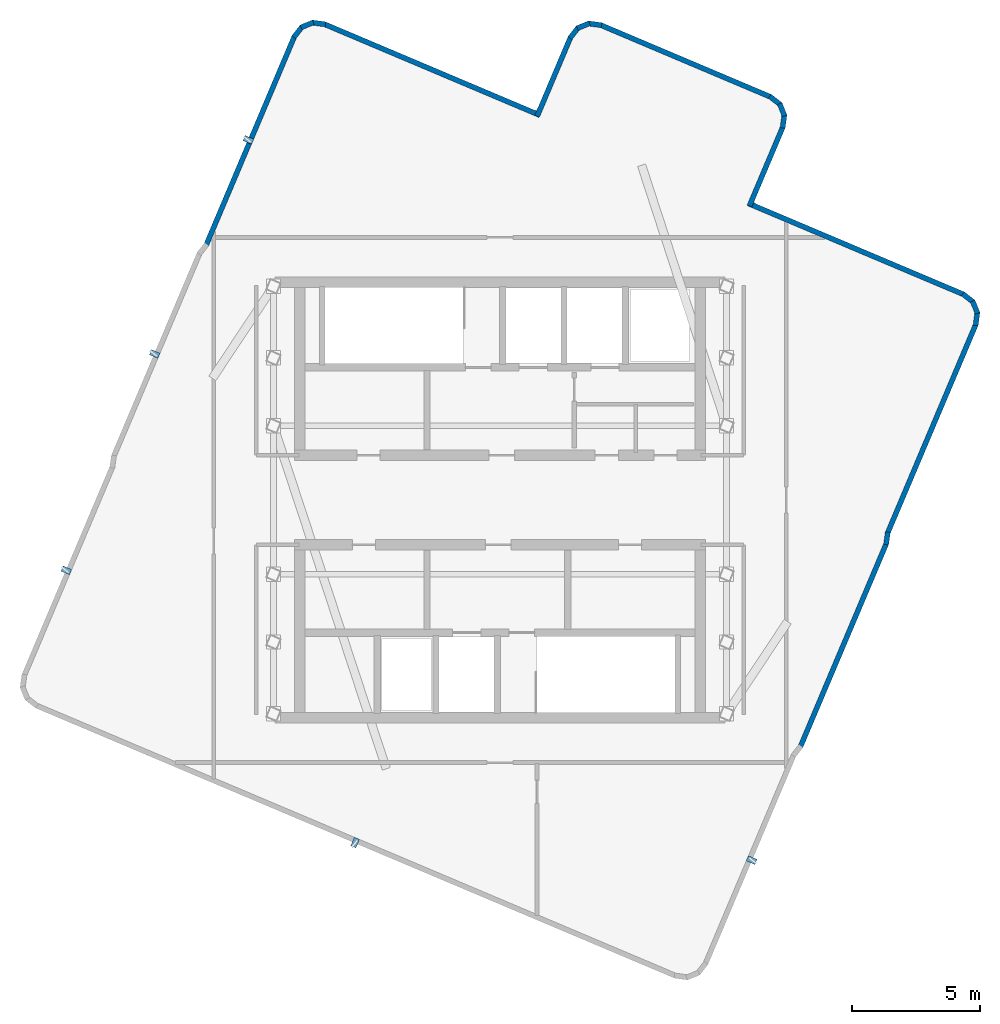
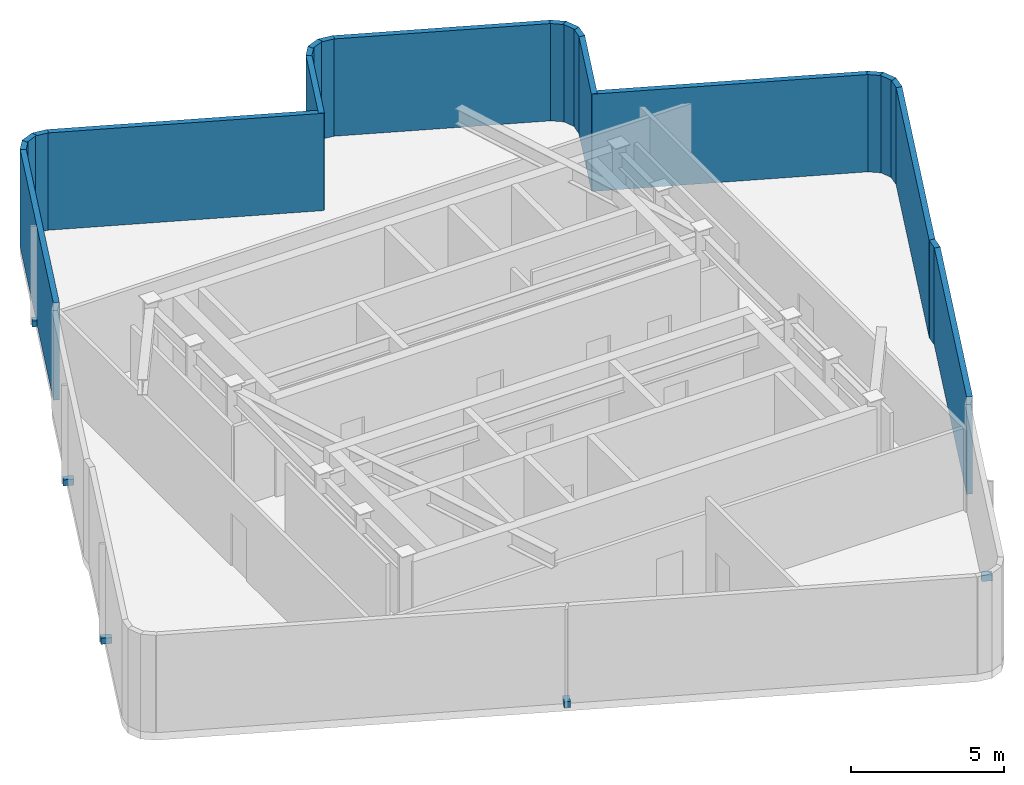
# One storey, part 3 of 4: 21 walls, 5 discrete accessories.
"""IFC4 building model written with IfcOpenShell, lengths in metres."""

from ifc_helpers import new_model, si_unit, direction, frame, frame_2d, origin, origin_2d, place, context, subcontext, project, spatial, rectangle, extrude, material, layer, layer_set, type_object, element, save


model = new_model("IFC4")

# Units and contexts
model_context = context("Model", 3, precision=1e-05, world=origin(), true_north=direction((0.0, 1.0)))
body_context = subcontext(model_context, "Body", "Model", "MODEL_VIEW")
ifc_project = project(units=[si_unit("LENGTHUNIT", "METRE"), si_unit("AREAUNIT", "SQUARE_METRE"), si_unit("VOLUMEUNIT", "CUBIC_METRE"), si_unit("PLANEANGLEUNIT", "RADIAN"), si_unit("MASSUNIT", "GRAM", prefix="KILO")], contexts=[model_context])

# Site, building, storey
site_placement = place(None, origin())
site = spatial("IfcSite", under=ifc_project, at=site_placement, CompositionType="ELEMENT")
building_placement = place(site_placement, origin())
building = spatial("IfcBuilding", under=site, at=building_placement, Name="Solmarez Civic Tower", CompositionType="ELEMENT")
storey_placement = place(building_placement, frame((0.0, 0.0, 301.679931640625)))
storey = spatial("IfcBuildingStorey", under=building, at=storey_placement, Name="L81 Crown", CompositionType="ELEMENT", Elevation=301.679931640625)

# Walls
ifc_material_1 = material(Name="Precast concrete C40/50", Category="concrete")
ifc_layer = layer(ifc_material_1, 0.199951171875)
ifc_layer_set = layer_set([ifc_layer], Name="Precast concrete C40/50")
wall_type = type_object("IfcWallType", Name="WALL-EXT-200", PredefinedType="SOLIDWALL", material=ifc_layer_set)
wall_1_placement = place(storey_placement, frame((-11.48095703125, 9.951904296875, 0.0), z_axis=(0.0, 0.0, 1.0), x_axis=(0.389505259475, 0.92102424118, 0.0)))
element("IfcWall", 1, at=wall_1_placement, inside=storey, type_object=wall_type, Name="L81 Crown Exterior Precast Wall 17", PredefinedType="SOLIDWALL", context=body_context, shape_type="SweptSolid", body=[
    extrude(rectangle(XDim=8.8671875, YDim=0.199951171875, at=frame_2d((4.43359375, 0.0))), origin(), (0.0, 0.0, 1.0), 3.89013671875),
])
wall_2_placement = place(storey_placement, frame((-8.052001953125, 18.075927734375, 0.0), z_axis=(0.0, 0.0, 1.0), x_axis=(0.613266470563, 0.789876089069, 0.0)))
element("IfcWall", 2, at=wall_2_placement, inside=storey, type_object=wall_type, Name="L81 Crown Exterior Precast Wall 18", PredefinedType="SOLIDWALL", context=body_context, shape_type="SweptSolid", body=[
    extrude(rectangle(XDim=0.526611328125, YDim=0.199951171875, at=frame_2d((0.26318359375, 0.0))), origin(), (0.0, 0.0, 1.0), 3.89013671875),
])
wall_3_placement = place(storey_placement, frame((-7.76708984375, 18.462890625, 0.0), z_axis=(0.0, 0.0, 1.0), x_axis=(0.926663227271, 0.375892621934, 0.0)))
element("IfcWall", 3, at=wall_3_placement, inside=storey, type_object=wall_type, Name="L81 Crown Exterior Precast Wall 19", PredefinedType="SOLIDWALL", context=body_context, shape_type="SweptSolid", body=[
    extrude(rectangle(XDim=0.513671875, YDim=0.199951171875, at=frame_2d((0.2568359375, 0.0))), origin(), (0.0, 0.0, 1.0), 3.89013671875),
])
wall_4_placement = place(storey_placement, frame((-7.339111328125, 18.64990234375, 0.0), z_axis=(0.0, 0.0, 1.0), x_axis=(0.99065777357, -0.136371462064, 0.0)))
element("IfcWall", 4, at=wall_4_placement, inside=storey, type_object=wall_type, Name="L81 Crown Exterior Precast Wall 20", PredefinedType="SOLIDWALL", context=body_context, shape_type="SweptSolid", body=[
    extrude(rectangle(XDim=0.528076171875, YDim=0.199951171875, at=frame_2d((0.26416015625, 0.0))), origin(), (0.0, 0.0, 1.0), 3.89013671875),
])
wall_5_placement = place(storey_placement, frame((-6.864013671875, 18.591064453125, 0.0), z_axis=(0.0, 0.0, 1.0), x_axis=(0.921076334879, -0.389382055732, 0.0)))
element("IfcWall", 5, at=wall_5_placement, inside=storey, type_object=wall_type, Name="L81 Crown Exterior Precast Wall 21", PredefinedType="SOLIDWALL", context=body_context, shape_type="SweptSolid", body=[
    extrude(rectangle(XDim=9.140380859375, YDim=0.199951171875, at=frame_2d((4.5703125, 0.0))), origin(), (0.0, 0.0, 1.0), 3.89013671875),
])
wall_6_placement = place(storey_placement, frame((1.449951171875, 14.989013671875, 0.0), z_axis=(0.0, 0.0, 1.0), x_axis=(0.38945279818, 0.921046425535, 0.0)))
element("IfcWall", 6, at=wall_6_placement, inside=storey, type_object=wall_type, Name="L81 Crown Exterior Precast Wall 24", PredefinedType="SOLIDWALL", context=body_context, shape_type="SweptSolid", body=[
    extrude(rectangle(XDim=3.361328125, YDim=0.199951171875, at=frame_2d((1.6806640625, 0.0))), origin(), (0.0, 0.0, 1.0), 3.89013671875),
])
wall_7_placement = place(storey_placement, frame((2.73388671875, 18.0419921875, 0.0), z_axis=(0.0, 0.0, 1.0), x_axis=(0.613812609302, 0.789451759554, 0.0)))
element("IfcWall", 7, at=wall_7_placement, inside=storey, type_object=wall_type, Name="L81 Crown Exterior Precast Wall 25", PredefinedType="SOLIDWALL", context=body_context, shape_type="SweptSolid", body=[
    extrude(rectangle(XDim=0.5283203125, YDim=0.199951171875, at=frame_2d((0.26416015625, 0.0))), origin(), (0.0, 0.0, 1.0), 3.89013671875),
])
wall_8_placement = place(storey_placement, frame((3.02001953125, 18.429931640625, 0.0), z_axis=(0.0, 0.0, 1.0), x_axis=(0.927324374452, 0.37425860651, 0.0)))
element("IfcWall", 8, at=wall_8_placement, inside=storey, type_object=wall_type, Name="L81 Crown Exterior Precast Wall 26", PredefinedType="SOLIDWALL", context=body_context, shape_type="SweptSolid", body=[
    extrude(rectangle(XDim=0.513427734375, YDim=0.199951171875, at=frame_2d((0.2568359375, 0.0))), origin(), (0.0, 0.0, 1.0), 3.89013671875),
])
wall_9_placement = place(storey_placement, frame((3.447998046875, 18.615966796875, 0.0), z_axis=(0.0, 0.0, 1.0), x_axis=(0.990897604992, -0.134617741855, 0.0)))
element("IfcWall", 9, at=wall_9_placement, inside=storey, type_object=wall_type, Name="L81 Crown Exterior Precast Wall 27", PredefinedType="SOLIDWALL", context=body_context, shape_type="SweptSolid", body=[
    extrude(rectangle(XDim=0.52783203125, YDim=0.199951171875, at=frame_2d((0.263916015625, 0.0))), origin(), (0.0, 0.0, 1.0), 3.89013671875),
])
wall_10_placement = place(storey_placement, frame((3.923095703125, 18.55810546875, 0.0), z_axis=(0.0, 0.0, 1.0), x_axis=(0.920979837259, -0.389610240319, 0.0)))
element("IfcWall", 10, at=wall_10_placement, inside=storey, type_object=wall_type, Name="L81 Crown Exterior Precast Wall 28", PredefinedType="SOLIDWALL", context=body_context, shape_type="SweptSolid", body=[
    extrude(rectangle(XDim=7.228271484375, YDim=0.199951171875, at=frame_2d((3.6142578125, 0.0))), origin(), (0.0, 0.0, 1.0), 3.89013671875),
])
wall_11_placement = place(storey_placement, frame((10.537109375, 15.76708984375, 0.0), z_axis=(0.0, 0.0, 1.0), x_axis=(0.790571904838, -0.61236922137, 0.0)))
element("IfcWall", 11, at=wall_11_placement, inside=storey, type_object=wall_type, Name="L81 Crown Exterior Precast Wall 29", PredefinedType="SOLIDWALL", context=body_context, shape_type="SweptSolid", body=[
    extrude(rectangle(XDim=0.52734375, YDim=0.199951171875, at=frame_2d((0.263671875, 0.0))), origin(), (0.0, 0.0, 1.0), 3.89013671875),
])
wall_12_placement = place(storey_placement, frame((10.925048828125, 15.48193359375, 0.0), z_axis=(0.0, 0.0, 1.0), x_axis=(0.374014546028, -0.927422837415, 0.0)))
element("IfcWall", 12, at=wall_12_placement, inside=storey, type_object=wall_type, Name="L81 Crown Exterior Precast Wall 30", PredefinedType="SOLIDWALL", context=body_context, shape_type="SweptSolid", body=[
    extrude(rectangle(XDim=0.51318359375, YDim=0.199951171875, at=frame_2d((0.256591796875, 0.0))), origin(), (0.0, 0.0, 1.0), 3.89013671875),
])
wall_13_placement = place(storey_placement, frame((11.111083984375, 15.053955078125, 0.0), z_axis=(0.0, 0.0, 1.0), x_axis=(-0.136433942734, -0.99064917063, 0.0)))
element("IfcWall", 13, at=wall_13_placement, inside=storey, type_object=wall_type, Name="L81 Crown Exterior Precast Wall 31", PredefinedType="SOLIDWALL", context=body_context, shape_type="SweptSolid", body=[
    extrude(rectangle(XDim=0.52783203125, YDim=0.199951171875, at=frame_2d((0.263916015625, 0.0))), origin(), (0.0, 0.0, 1.0), 3.89013671875),
])
wall_14_placement = place(storey_placement, frame((11.052001953125, 14.5791015625, 0.0), z_axis=(0.0, 0.0, 1.0), x_axis=(-0.389322570858, -0.921101479654, 0.0)))
element("IfcWall", 14, at=wall_14_placement, inside=storey, type_object=wall_type, Name="L81 Crown Exterior Precast Wall 32", PredefinedType="SOLIDWALL", context=body_context, shape_type="SweptSolid", body=[
    extrude(rectangle(XDim=3.362548828125, YDim=0.199951171875, at=frame_2d((1.68115234375, 0.0))), origin(), (0.0, 0.0, 1.0), 3.89013671875),
])
wall_15_placement = place(storey_placement, frame((9.699951171875, 11.5869140625, 0.0), z_axis=(0.0, 0.0, 1.0), x_axis=(0.921047594323, -0.389450034011, 0.0)))
element("IfcWall", 15, at=wall_15_placement, inside=storey, type_object=wall_type, Name="L81 Crown Exterior Precast Wall 35", PredefinedType="SOLIDWALL", context=body_context, shape_type="SweptSolid", body=[
    extrude(rectangle(XDim=9.140625, YDim=0.199951171875, at=frame_2d((4.5703125, 0.0))), origin(), (0.0, 0.0, 1.0), 3.89013671875),
])
wall_16_placement = place(storey_placement, frame((18.075927734375, 8.052001953125, 0.0), z_axis=(0.0, 0.0, 1.0), x_axis=(0.789876089069, -0.613266470563, 0.0)))
element("IfcWall", 16, at=wall_16_placement, inside=storey, type_object=wall_type, Name="L81 Crown Exterior Precast Wall 36", PredefinedType="SOLIDWALL", context=body_context, shape_type="SweptSolid", body=[
    extrude(rectangle(XDim=0.526611328125, YDim=0.199951171875, at=frame_2d((0.26318359375, 0.0))), origin(), (0.0, 0.0, 1.0), 3.89013671875),
])
wall_17_placement = place(storey_placement, frame((18.462890625, 7.76708984375, 0.0), z_axis=(0.0, 0.0, 1.0), x_axis=(0.375892621934, -0.926663227271, 0.0)))
element("IfcWall", 17, at=wall_17_placement, inside=storey, type_object=wall_type, Name="L81 Crown Exterior Precast Wall 37", PredefinedType="SOLIDWALL", context=body_context, shape_type="SweptSolid", body=[
    extrude(rectangle(XDim=0.513671875, YDim=0.199951171875, at=frame_2d((0.2568359375, 0.0))), origin(), (0.0, 0.0, 1.0), 3.89013671875),
])
wall_18_placement = place(storey_placement, frame((18.64990234375, 7.339111328125, 0.0), z_axis=(0.0, 0.0, 1.0), x_axis=(-0.136371462064, -0.99065777357, 0.0)))
element("IfcWall", 18, at=wall_18_placement, inside=storey, type_object=wall_type, Name="L81 Crown Exterior Precast Wall 38", PredefinedType="SOLIDWALL", context=body_context, shape_type="SweptSolid", body=[
    extrude(rectangle(XDim=0.528076171875, YDim=0.199951171875, at=frame_2d((0.26416015625, 0.0))), origin(), (0.0, 0.0, 1.0), 3.89013671875),
])
wall_19_placement = place(storey_placement, frame((18.591064453125, 6.864013671875, 0.0), z_axis=(0.0, 0.0, 1.0), x_axis=(-0.389435189284, -0.921053871035, 0.0)))
element("IfcWall", 19, at=wall_19_placement, inside=storey, type_object=wall_type, Name="L81 Crown Exterior Precast Wall 39", PredefinedType="SOLIDWALL", context=body_context, shape_type="SweptSolid", body=[
    extrude(rectangle(XDim=8.866943359375, YDim=0.199951171875, at=frame_2d((4.43359375, 0.0))), origin(), (0.0, 0.0, 1.0), 3.89013671875),
])
wall_20_placement = place(storey_placement, frame((15.152099609375, -1.2548828125, 0.0), z_axis=(0.0, 0.0, 1.0), x_axis=(-0.142673990232, -0.989769737116, 0.0)))
element("IfcWall", 20, at=wall_20_placement, inside=storey, type_object=wall_type, Name="L81 Crown Exterior Precast Wall 40", PredefinedType="SOLIDWALL", context=body_context, shape_type="SweptSolid", body=[
    extrude(rectangle(XDim=0.4912109375, YDim=0.199951171875, at=frame_2d((0.24560546875, 0.0))), origin(), (0.0, 0.0, 1.0), 3.89013671875),
])
wall_21_placement = place(storey_placement, frame((15.095947265625, -1.693115234375, 0.0), z_axis=(0.0, 0.0, 1.0), x_axis=(-0.389467605067, -0.92104016449, 0.0)))
element("IfcWall", 21, at=wall_21_placement, inside=storey, type_object=wall_type, Name="L81 Crown Exterior Precast Wall 42", PredefinedType="SOLIDWALL", context=body_context, shape_type="SweptSolid", body=[
    extrude(rectangle(XDim=8.639892578125, YDim=0.199951171875, at=frame_2d((4.31982421875, 0.0))), origin(), (0.0, 0.0, 1.0), 3.89013671875),
])

# Discrete accessories
ifc_material_2 = material(Name="Stainless Steel Grade 1.4401", Category="steel")
discrete_accessory_type = type_object("IfcDiscreteAccessoryType", Name="BRACKET-SS-FIN", PredefinedType="BRACKET", material=ifc_material_2)
for number, where, z_axis, x_axis, name in (
    (22, (9.827880859375, -14.06689453125, -0.06005859375), (0.0, 0.0, 1.0), (0.921040804791, -0.389466090834, 0.0), "L81 Crown Stainless Fin Support Bracket LVR-L81 Crown-01"),
    (23, (-5.658935546875, -13.383056640625, -0.06005859375), (0.0, 0.0, 1.0), (-0.389443581844, -0.921050322491, 0.0), "L81 Crown Stainless Fin Support Bracket LVR-L81 Crown-02"),
    (24, (-16.93798828125, -2.7490234375, -0.06005859375), (0.0, 0.0, 1.0), (-0.921081485024, 0.389369872931, 0.0), "L81 Crown Stainless Fin Support Bracket LVR-L81 Crown-03"),
    (25, (-13.487060546875, 5.702880859375, -0.06005859375), (0.0, 0.0, 1.0), (-0.921066837387, 0.389404521117, 0.0), "L81 Crown Stainless Fin Support Bracket LVR-L81 Crown-04"),
    (26, (-9.827880859375, 14.06689453125, -0.06005859375), (0.0, 0.0, 1.0), (-0.921040804791, 0.389466090834, 0.0), "L81 Crown Stainless Fin Support Bracket LVR-L81 Crown-05"),
):
    element("IfcDiscreteAccessory", number, at=place(storey_placement, frame(where, z_axis=z_axis, x_axis=x_axis)), inside=storey, type_object=discrete_accessory_type, Name=name, PredefinedType="BRACKET", context=body_context, shape_type="SweptSolid", body=[
        extrude(rectangle(XDim=0.360107421875, YDim=0.219970703125, at=origin_2d()), origin(), (0.0, 0.0, 1.0), 0.239990234375),
    ])

save(model, "model.ifc")
